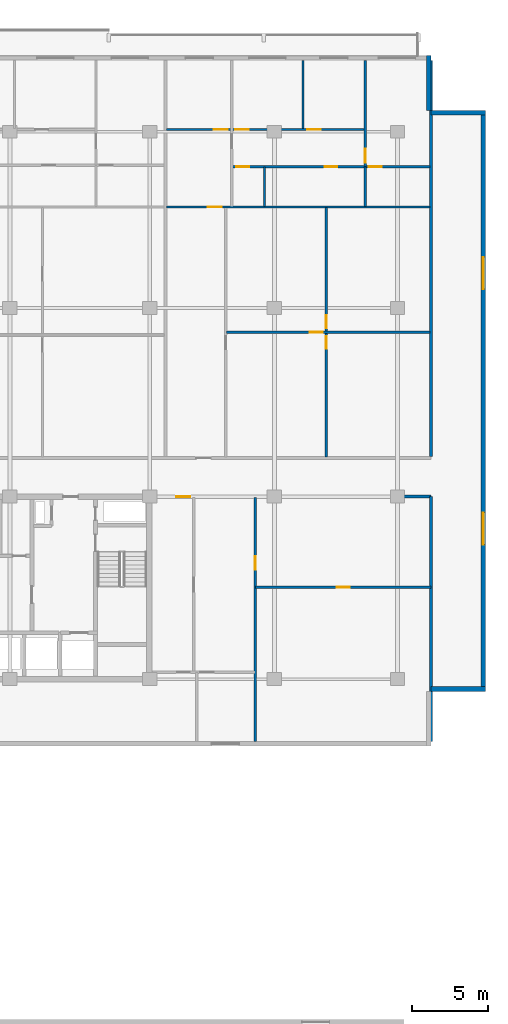
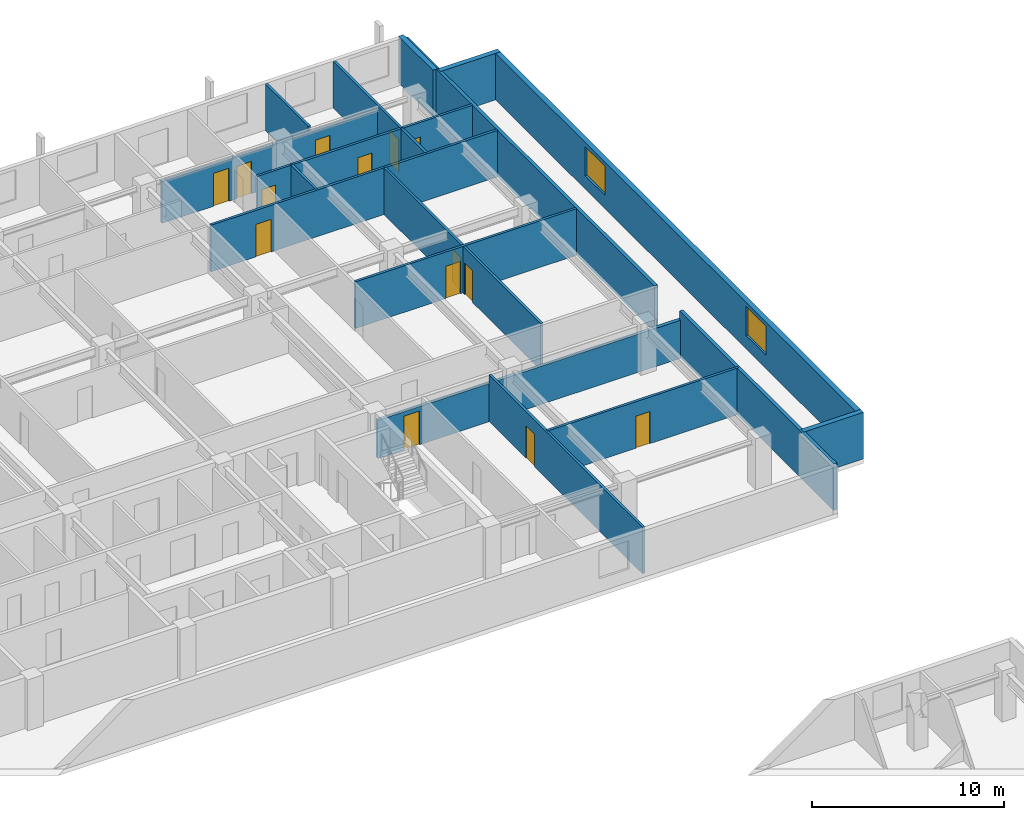
# One storey, part 16 of 22: 18 walls, 14 doors, 2 windows, 16 openings.
"""IFC4 building model written with IfcOpenShell, lengths in metres."""

from ifc_helpers import new_model, si_unit, direction, frame, frame_2d, origin, place, context, subcontext, project, spatial, rectangle, extrude, material, layer, layer_set, type_object, element, fill, save


model = new_model("IFC4")

# Units and contexts
model_context = context("Model", 3, precision=1e-05, world=origin(), true_north=direction((0.0, 1.0)))
body_context = subcontext(model_context, "Body", "Model", "MODEL_VIEW")
ifc_project = project(units=[si_unit("LENGTHUNIT", "METRE"), si_unit("AREAUNIT", "SQUARE_METRE"), si_unit("VOLUMEUNIT", "CUBIC_METRE"), si_unit("PLANEANGLEUNIT", "RADIAN"), si_unit("MASSUNIT", "GRAM", prefix="KILO")], contexts=[model_context])

# Site, building, storey
site_placement = place(None, origin())
site = spatial("IfcSite", under=ifc_project, at=site_placement, CompositionType="ELEMENT")
building_placement = place(site_placement, origin())
building = spatial("IfcBuilding", under=site, at=building_placement, Name="Korimba Cascade Residences", CompositionType="ELEMENT")
storey_placement = place(building_placement, frame((0.0, 0.0, 129.550048828125)))
storey = spatial("IfcBuildingStorey", under=building, at=storey_placement, Name="L37", CompositionType="ELEMENT", Elevation=129.550048828125)

# Wall
ifc_material_1 = material(Name="Precast concrete C40/50", Category="concrete")
ifc_layer_1 = layer(ifc_material_1, 0.300048828125)
ifc_layer_set_1 = layer_set([ifc_layer_1], Name="Precast concrete C40/50")
wall_type_1 = type_object("IfcWallType", Name="EW-STONE-300", PredefinedType="STANDARD", material=ifc_layer_set_1)
wall_1_placement = place(storey_placement, frame((130.60009765625, 54.550048828125, 0.0), z_axis=(0.0, 0.0, 1.0), x_axis=(1.0, 0.0, 0.0)))
element("IfcWall", 1, at=wall_1_placement, inside=storey, type_object=wall_type_1, Name="L37 T1 Perimeter Stone Wall E02", PredefinedType="STANDARD", context=body_context, shape_type="SweptSolid", body=[
    extrude(rectangle(XDim=3.599853515625, YDim=0.300048828125, at=frame_2d((1.7998046875, 0.0))), origin(), (0.0, 0.0, 1.0), 2.969970703125),
])

# Wall, openings, windows
wall_2_placement = place(storey_placement, frame((134.050048828125, 54.39990234375, 0.0), z_axis=(0.0, 0.0, 1.0), x_axis=(0.0, 1.0, 0.0)))
wall_2 = element("IfcWall", 2, at=wall_2_placement, inside=storey, type_object=wall_type_1, Name="L37 T1 Perimeter Stone Wall E03", PredefinedType="STANDARD", context=body_context, shape_type="SweptSolid", body=[
    extrude(rectangle(XDim=38.2001953125, YDim=0.300048828125, at=frame_2d((19.10009765625, 0.0))), origin(), (0.0, 0.0, 1.0), 2.969970703125),
])
opening_1_placement = place(wall_2_placement, frame((9.64599609375, 0.0, 0.85009765625)))
opening_1 = element("IfcOpeningElement", 3, at=opening_1_placement, cuts=wall_2, Name="Opening W-03", PredefinedType="OPENING", context=body_context, shape_type="SweptSolid", body=[
    extrude(rectangle(XDim=2.10009765625, YDim=1.85009765625, at=frame_2d((1.050048828125, 0.925048828125))), frame((0.0, 0.16015625, 0.0), z_axis=(0.0, -1.0, 0.0), x_axis=(1.0, 0.0, 0.0)), (0.0, 0.0, 1.0), 0.320068359375),
])
opening_2_placement = place(wall_2_placement, frame((26.4541015625, 0.0, 0.85009765625)))
opening_2 = element("IfcOpeningElement", 4, at=opening_2_placement, cuts=wall_2, Name="Opening W-03", PredefinedType="OPENING", context=body_context, shape_type="SweptSolid", body=[
    extrude(rectangle(XDim=2.10009765625, YDim=1.85009765625, at=frame_2d((1.050048828125, 0.925048828125))), frame((0.0, 0.16015625, 0.0), z_axis=(0.0, -1.0, 0.0), x_axis=(1.0, 0.0, 0.0)), (0.0, 0.0, 1.0), 0.320068359375),
])
ifc_material_2 = material(Name="Double-Glazed Aluminium Window", Category="aluminium")
window_type = type_object("IfcWindowType", Name="WIN-CRN-2100", PartitioningType="DOUBLE_PANEL_HORIZONTAL", PredefinedType="WINDOW", material=ifc_material_2)
window_1_placement = place(opening_1_placement, origin())
window_1 = element("IfcWindow", 5, at=window_1_placement, inside=storey, type_object=window_type, Name="L37 T1 End View Window 3.1", OverallHeight=1.85009765625, OverallWidth=2.10009765625, PartitioningType="DOUBLE_PANEL_HORIZONTAL", PredefinedType="WINDOW", context=body_context, shape_type="SweptSolid", body=[
    extrude(rectangle(XDim=2.10009765625, YDim=1.85009765625, at=frame_2d((1.050048828125, 0.925048828125))), frame((0.0, 0.030029296875, 0.0), z_axis=(0.0, -1.0, 0.0), x_axis=(1.0, 0.0, 0.0)), (0.0, 0.0, 1.0), 0.06005859375),
])
fill(opening_1, window_1)
window_2_placement = place(opening_2_placement, origin())
window_2 = element("IfcWindow", 6, at=window_2_placement, inside=storey, type_object=window_type, Name="L37 T1 End View Window 3.2", OverallHeight=1.85009765625, OverallWidth=2.10009765625, PartitioningType="DOUBLE_PANEL_HORIZONTAL", PredefinedType="WINDOW", context=body_context, shape_type="SweptSolid", body=[
    extrude(rectangle(XDim=2.10009765625, YDim=1.85009765625, at=frame_2d((1.050048828125, 0.925048828125))), frame((0.0, 0.030029296875, 0.0), z_axis=(0.0, -1.0, 0.0), x_axis=(1.0, 0.0, 0.0)), (0.0, 0.0, 1.0), 0.06005859375),
])
fill(opening_2, window_2)

# Walls
for number, where, z_axis, x_axis, name in (
    (7, (134.199951171875, 92.449951171875, 0.0), (0.0, 0.0, 1.0), (-1.0, 0.0, 0.0), "L37 T1 Perimeter Stone Wall E04"),
    (8, (130.449951171875, 92.60009765625, 0.0), (0.0, 0.0, 1.0), (0.0, 1.0, 0.0), "L37 T1 Perimeter Stone Wall E05"),
):
    element("IfcWall", number, at=place(storey_placement, frame(where, z_axis=z_axis, x_axis=x_axis)), inside=storey, type_object=wall_type_1, Name=name, PredefinedType="STANDARD", context=body_context, shape_type="SweptSolid", body=[
        extrude(rectangle(XDim=3.599853515625, YDim=0.300048828125, at=frame_2d((1.7998046875, 0.0))), origin(), (0.0, 0.0, 1.0), 2.969970703125),
    ])
ifc_layer_2 = layer(ifc_material_1, 0.199951171875)
ifc_layer_set_2 = layer_set([ifc_layer_2], Name="Precast concrete C40/50")
wall_type_2 = type_object("IfcWallType", Name="WAL-IT-200", PredefinedType="PARTITIONING", material=ifc_layer_set_2)
wall_3_placement = place(storey_placement, frame((130.60009765625, 51.10009765625, 0.0), z_axis=(0.0, 0.0, 1.0), x_axis=(0.0, 1.0, 0.0)))
element("IfcWall", 9, at=wall_3_placement, inside=storey, type_object=wall_type_2, Name="L37 Partition Wall WAL-L37-T1-FE-WR", PredefinedType="PARTITIONING", context=body_context, shape_type="SweptSolid", body=[
    extrude(rectangle(XDim=16.099853515625, YDim=0.199951171875, at=frame_2d((8.0498046875, 0.0))), origin(), (0.0, 0.0, 1.0), 2.969970703125),
])

# Wall, opening, door
wall_4_placement = place(storey_placement, frame((112.25, 67.199951171875, 0.0), z_axis=(0.0, 0.0, 1.0), x_axis=(1.0, 0.0, 0.0)))
wall_4 = element("IfcWall", 10, at=wall_4_placement, inside=storey, type_object=wall_type_2, Name="L37 Partition Wall WAL-L37-T1-FE-N", PredefinedType="PARTITIONING", context=body_context, shape_type="SweptSolid", body=[
    extrude(rectangle(XDim=18.35009765625, YDim=0.199951171875, at=frame_2d((9.175048828125, 0.0))), origin(), (0.0, 0.0, 1.0), 2.433349609375),
])
opening_3_placement = place(wall_4_placement, frame((1.580078125, 0.0, 0.0)))
opening_3 = element("IfcOpeningElement", 11, at=opening_3_placement, cuts=wall_4, Name="Opening D-UN1", PredefinedType="OPENING", context=body_context, shape_type="SweptSolid", body=[
    extrude(rectangle(XDim=0.949951171875, YDim=2.14990234375, at=frame_2d((0.47509765625, 1.074951171875))), frame((0.0, 0.10986328125, 0.0), z_axis=(0.0, -1.0, 0.0), x_axis=(1.0, 0.0, 0.0)), (0.0, 0.0, 1.0), 0.219970703125),
])
ifc_material_3 = material(Name="Fire-Rated Hardwood Apartment Entrance Door", Category="wood")
door_type_1 = type_object("IfcDoorType", Name="DR-FD60-950", OperationType="NOTDEFINED", PredefinedType="DOOR", material=ifc_material_3)
door_1_placement = place(opening_3_placement, origin())
door_1 = element("IfcDoor", 12, at=door_1_placement, inside=storey, type_object=door_type_1, Name="L37-T1-FE Entrance Door", OperationType="SINGLE_SWING_LEFT", OverallHeight=2.14990234375, OverallWidth=0.949951171875, PredefinedType="DOOR", context=body_context, shape_type="SweptSolid", body=[
    extrude(rectangle(XDim=0.949951171875, YDim=2.14990234375, at=frame_2d((0.47509765625, 1.074951171875))), frame((0.0, 0.02490234375, 0.0), z_axis=(0.0, -1.0, 0.0), x_axis=(1.0, 0.0, 0.0)), (0.0, 0.0, 1.0), 0.050048828125),
])
fill(opening_3, door_1)

# Wall
wall_5_placement = place(storey_placement, frame((130.60009765625, 69.830078125, 0.0), z_axis=(0.0, 0.0, 1.0), x_axis=(0.0, 1.0, 0.0)))
element("IfcWall", 13, at=wall_5_placement, inside=storey, type_object=wall_type_2, Name="L37 Partition Wall WAL-L37-T1-BNDWR", PredefinedType="PARTITIONING", context=body_context, shape_type="SweptSolid", body=[
    extrude(rectangle(XDim=26.06982421875, YDim=0.199951171875, at=frame_2d((13.034912109375, 0.0))), origin(), (0.0, 0.0, 1.0), 2.969970703125),
])

# Wall, opening, door
ifc_material_4 = material(Name="Insulated Acoustic Stud Partition", Category="gypsum")
ifc_layer_3 = layer(ifc_material_4, 0.14990234375)
ifc_layer_set_3 = layer_set([ifc_layer_3], Name="Insulated Acoustic Stud Partition")
wall_type_3 = type_object("IfcWallType", Name="WAL-PART-150", PredefinedType="PARTITIONING", material=ifc_layer_set_3)
wall_6_placement = place(storey_placement, frame((119.050048828125, 61.25, 0.0), z_axis=(0.0, 0.0, 1.0), x_axis=(1.0, 0.0, 0.0)))
wall_6 = element("IfcWall", 14, at=wall_6_placement, inside=storey, type_object=wall_type_3, Name="L37 Partition Wall WAL-L37-T1-FE-STH", PredefinedType="PARTITIONING", context=body_context, shape_type="SweptSolid", body=[
    extrude(rectangle(XDim=11.550048828125, YDim=0.14990234375, at=frame_2d((5.77490234375, 0.0))), origin(), (0.0, 0.0, 1.0), 2.969970703125),
])
opening_4_placement = place(wall_6_placement, frame((5.35498046875, 0.0, 0.0)))
opening_4 = element("IfcOpeningElement", 15, at=opening_4_placement, cuts=wall_6, Name="Opening D-BT1", PredefinedType="OPENING", context=body_context, shape_type="SweptSolid", body=[
    extrude(rectangle(XDim=0.840087890625, YDim=2.0400390625, at=frame_2d((0.419921875, 1.02001953125))), frame((0.0, 0.0849609375, 0.0), z_axis=(0.0, -1.0, 0.0), x_axis=(1.0, 0.0, 0.0)), (0.0, 0.0, 1.0), 0.169921875),
])
ifc_material_5 = material(Name="Moisture-Resistant Bathroom Timber Door", Category="wood")
door_type_2 = type_object("IfcDoorType", Name="DR-INT-850", OperationType="NOTDEFINED", PredefinedType="DOOR", material=ifc_material_5)
door_2_placement = place(opening_4_placement, origin())
door_2 = element("IfcDoor", 16, at=door_2_placement, inside=storey, type_object=door_type_2, Name="L37-T1-FE Dressing Store Door", OperationType="SINGLE_SWING_RIGHT", OverallHeight=2.0400390625, OverallWidth=0.840087890625, PredefinedType="DOOR", context=body_context, shape_type="SweptSolid", body=[
    extrude(rectangle(XDim=0.840087890625, YDim=2.0400390625, at=frame_2d((0.419921875, 1.02001953125))), frame((0.0, 0.02490234375, 0.0), z_axis=(0.0, -1.0, 0.0), x_axis=(1.0, 0.0, 0.0)), (0.0, 0.0, 1.0), 0.050048828125),
])
fill(opening_4, door_2)

wall_7_placement = place(storey_placement, frame((119.050048828125, 51.10009765625, 0.0), z_axis=(0.0, 0.0, 1.0), x_axis=(0.0, 1.0, 0.0)))
wall_7 = element("IfcWall", 17, at=wall_7_placement, inside=storey, type_object=wall_type_3, Name="L37 Partition Wall WAL-L37-T1-FE-STV", PredefinedType="PARTITIONING", context=body_context, shape_type="SweptSolid", body=[
    extrude(rectangle(XDim=16.0498046875, YDim=0.14990234375, at=frame_2d((8.02490234375, 0.0))), origin(), (0.0, 0.0, 1.0), 2.969970703125),
])
opening_5_placement = place(wall_7_placement, frame((11.300048828125, 0.0, 0.0)))
opening_5 = element("IfcOpeningElement", 18, at=opening_5_placement, cuts=wall_7, Name="Opening D-IN2", PredefinedType="OPENING", context=body_context, shape_type="SweptSolid", body=[
    extrude(rectangle(XDim=0.8798828125, YDim=2.06005859375, at=frame_2d((0.43994140625, 1.030029296875))), frame((0.0, 0.0849609375, 0.0), z_axis=(0.0, -1.0, 0.0), x_axis=(1.0, 0.0, 0.0)), (0.0, 0.0, 1.0), 0.169921875),
])
ifc_material_6 = material(Name="Acoustic Timber Bedroom Door", Category="wood")
door_type_3 = type_object("IfcDoorType", Name="DR-INT-880", OperationType="NOTDEFINED", PredefinedType="DOOR", material=ifc_material_6)
door_3_placement = place(opening_5_placement, origin())
door_3 = element("IfcDoor", 19, at=door_3_placement, inside=storey, type_object=door_type_3, Name="L37-T1-FE Study Door", OperationType="SINGLE_SWING_LEFT", OverallHeight=2.06005859375, OverallWidth=0.8798828125, PredefinedType="DOOR", context=body_context, shape_type="SweptSolid", body=[
    extrude(rectangle(XDim=0.8798828125, YDim=2.06005859375, at=frame_2d((0.43994140625, 1.030029296875))), frame((0.0, 0.02490234375, 0.0), z_axis=(0.0, -1.0, 0.0), x_axis=(1.0, 0.0, 0.0)), (0.0, 0.0, 1.0), 0.050048828125),
])
fill(opening_5, door_3)

# Wall, openings, doors
wall_8_placement = place(storey_placement, frame((123.717529296875, 69.81005859375, 0.0), z_axis=(0.0, 0.0, 1.0), x_axis=(0.0, 1.0, 0.0)))
wall_8 = element("IfcWall", 20, at=wall_8_placement, inside=storey, type_object=wall_type_3, Name="L37 Partition Wall WAL-L37-T1-U04-FMV", PredefinedType="PARTITIONING", context=body_context, shape_type="SweptSolid", body=[
    extrude(rectangle(XDim=16.39990234375, YDim=0.14990234375, at=frame_2d((8.199951171875, 0.0))), origin(), (0.0, 0.0, 1.0), 2.969970703125),
])
opening_6_placement = place(wall_8_placement, frame((7.110107421875, 0.0, 0.0)))
opening_6 = element("IfcOpeningElement", 21, at=opening_6_placement, cuts=wall_8, Name="Opening D-BT1", PredefinedType="OPENING", context=body_context, shape_type="SweptSolid", body=[
    extrude(rectangle(XDim=0.840087890625, YDim=2.0400390625, at=frame_2d((0.419921875, 1.02001953125))), frame((0.0, 0.0849609375, 0.0), z_axis=(0.0, -1.0, 0.0), x_axis=(1.0, 0.0, 0.0)), (0.0, 0.0, 1.0), 0.169921875),
])
opening_7_placement = place(wall_8_placement, frame((8.449951171875, 0.0, 0.0)))
opening_7 = element("IfcOpeningElement", 22, at=opening_7_placement, cuts=wall_8, Name="Opening D-IN2", PredefinedType="OPENING", context=body_context, shape_type="SweptSolid", body=[
    extrude(rectangle(XDim=0.8798828125, YDim=2.06005859375, at=frame_2d((0.43994140625, 1.030029296875))), frame((0.0, 0.0849609375, 0.0), z_axis=(0.0, -1.0, 0.0), x_axis=(1.0, 0.0, 0.0)), (0.0, 0.0, 1.0), 0.169921875),
])
door_4_placement = place(opening_6_placement, origin())
door_4 = element("IfcDoor", 23, at=door_4_placement, inside=storey, type_object=door_type_2, Name="L37-T1-U04 Wardrobe Door", OperationType="SINGLE_SWING_LEFT", OverallHeight=2.0400390625, OverallWidth=0.840087890625, PredefinedType="DOOR", context=body_context, shape_type="SweptSolid", body=[
    extrude(rectangle(XDim=0.840087890625, YDim=2.0400390625, at=frame_2d((0.419921875, 1.02001953125))), frame((0.0, 0.02490234375, 0.0), z_axis=(0.0, -1.0, 0.0), x_axis=(1.0, 0.0, 0.0)), (0.0, 0.0, 1.0), 0.050048828125),
])
fill(opening_6, door_4)
door_5_placement = place(opening_7_placement, origin())
door_5 = element("IfcDoor", 24, at=door_5_placement, inside=storey, type_object=door_type_3, Name="L37-T1-U04 Music Lounge Door", OperationType="SINGLE_SWING_RIGHT", OverallHeight=2.06005859375, OverallWidth=0.8798828125, PredefinedType="DOOR", context=body_context, shape_type="SweptSolid", body=[
    extrude(rectangle(XDim=0.8798828125, YDim=2.06005859375, at=frame_2d((0.43994140625, 1.030029296875))), frame((0.0, 0.02490234375, 0.0), z_axis=(0.0, -1.0, 0.0), x_axis=(1.0, 0.0, 0.0)), (0.0, 0.0, 1.0), 0.050048828125),
])
fill(opening_7, door_5)

# Wall, opening, door
wall_9_placement = place(storey_placement, frame((117.155029296875, 78.010009765625, 0.0), z_axis=(0.0, 0.0, 1.0), x_axis=(1.0, 0.0, 0.0)))
wall_9 = element("IfcWall", 25, at=wall_9_placement, inside=storey, type_object=wall_type_3, Name="L37 Partition Wall WAL-L37-T1-U04-FMH", PredefinedType="PARTITIONING", context=body_context, shape_type="SweptSolid", body=[
    extrude(rectangle(XDim=13.364990234375, YDim=0.14990234375, at=frame_2d((6.6826171875, 0.0))), origin(), (0.0, 0.0, 1.0), 2.969970703125),
])
opening_8_placement = place(wall_9_placement, frame((5.46240234375, 0.0, 0.0)))
opening_8 = element("IfcOpeningElement", 26, at=opening_8_placement, cuts=wall_9, Name="Opening D-IN2", PredefinedType="OPENING", context=body_context, shape_type="SweptSolid", body=[
    extrude(rectangle(XDim=0.8798828125, YDim=2.06005859375, at=frame_2d((0.43994140625, 1.030029296875))), frame((0.0, 0.0849609375, 0.0), z_axis=(0.0, -1.0, 0.0), x_axis=(1.0, 0.0, 0.0)), (0.0, 0.0, 1.0), 0.169921875),
])
door_6_placement = place(opening_8_placement, origin())
door_6 = element("IfcDoor", 27, at=door_6_placement, inside=storey, type_object=door_type_3, Name="L37-T1-U04 Library Salon Door", OperationType="SINGLE_SWING_LEFT", OverallHeight=2.06005859375, OverallWidth=0.8798828125, PredefinedType="DOOR", context=body_context, shape_type="SweptSolid", body=[
    extrude(rectangle(XDim=0.8798828125, YDim=2.06005859375, at=frame_2d((0.43994140625, 1.030029296875))), frame((0.0, 0.02490234375, 0.0), z_axis=(0.0, -1.0, 0.0), x_axis=(1.0, 0.0, 0.0)), (0.0, 0.0, 1.0), 0.050048828125),
])
fill(opening_8, door_6)

# Walls
wall_10_placement = place(storey_placement, frame((119.64501953125, 86.2900390625, 0.0), z_axis=(0.0, 0.0, 1.0), x_axis=(0.0, 1.0, 0.0)))
element("IfcWall", 28, at=wall_10_placement, inside=storey, type_object=wall_type_3, Name="L37 Partition Wall WAL-L37-T1-U04-VDRS", PredefinedType="PARTITIONING", context=body_context, shape_type="SweptSolid", body=[
    extrude(rectangle(XDim=2.580078125, YDim=0.14990234375, at=frame_2d((1.2900390625, 0.0))), origin(), (0.0, 0.0, 1.0), 2.969970703125),
])
wall_11_placement = place(storey_placement, frame((122.179931640625, 91.429931640625, 0.0), z_axis=(0.0, 0.0, 1.0), x_axis=(0.0, 1.0, 0.0)))
element("IfcWall", 29, at=wall_11_placement, inside=storey, type_object=wall_type_3, Name="L37 Partition Wall WAL-L37-T1-U04-VSTD", PredefinedType="PARTITIONING", context=body_context, shape_type="SweptSolid", body=[
    extrude(rectangle(XDim=4.469970703125, YDim=0.14990234375, at=frame_2d((2.23486328125, 0.0))), origin(), (0.0, 0.0, 1.0), 2.969970703125),
])
wall_12_placement = place(storey_placement, frame((126.27001953125, 86.2900390625, 0.0), z_axis=(0.0, 0.0, 1.0), x_axis=(0.0, 1.0, 0.0)))
element("IfcWall", 30, at=wall_12_placement, inside=storey, type_object=wall_type_3, Name="L37 Partition Wall WAL-L37-T1-U04-VBATH", PredefinedType="PARTITIONING", context=body_context, shape_type="SweptSolid", body=[
    extrude(rectangle(XDim=2.580078125, YDim=0.14990234375, at=frame_2d((1.2900390625, 0.0))), origin(), (0.0, 0.0, 1.0), 2.969970703125),
])

# Wall, opening, door
wall_13_placement = place(storey_placement, frame((126.27001953125, 88.909912109375, 0.0), z_axis=(0.0, 0.0, 1.0), x_axis=(0.0, 1.0, 0.0)))
wall_13 = element("IfcWall", 31, at=wall_13_placement, inside=storey, type_object=wall_type_3, Name="L37 Partition Wall WAL-L37-T1-U04-V2FULL", PredefinedType="PARTITIONING", context=body_context, shape_type="SweptSolid", body=[
    extrude(rectangle(XDim=6.989990234375, YDim=0.14990234375, at=frame_2d((3.4951171875, 0.0))), origin(), (0.0, 0.0, 1.0), 2.969970703125),
])
opening_9_placement = place(wall_13_placement, frame((0.260009765625, 0.0, 0.0)))
opening_9 = element("IfcOpeningElement", 32, at=opening_9_placement, cuts=wall_13, Name="Opening D-IN1", PredefinedType="OPENING", context=body_context, shape_type="SweptSolid", body=[
    extrude(rectangle(XDim=0.919921875, YDim=2.080078125, at=frame_2d((0.4599609375, 1.0400390625))), frame((0.0, 0.0849609375, 0.0), z_axis=(0.0, -1.0, 0.0), x_axis=(1.0, 0.0, 0.0)), (0.0, 0.0, 1.0), 0.169921875),
])
ifc_material_7 = material(Name="Acoustic Timber Living Door", Category="wood")
door_type_4 = type_object("IfcDoorType", Name="DR-INT-920", OperationType="NOTDEFINED", PredefinedType="DOOR", material=ifc_material_7)
door_7_placement = place(opening_9_placement, origin())
door_7 = element("IfcDoor", 33, at=door_7_placement, inside=storey, type_object=door_type_4, Name="L37-T1-U04 Master Bedroom Door", OperationType="SINGLE_SWING_RIGHT", OverallHeight=2.080078125, OverallWidth=0.919921875, PredefinedType="DOOR", context=body_context, shape_type="SweptSolid", body=[
    extrude(rectangle(XDim=0.919921875, YDim=2.080078125, at=frame_2d((0.4599609375, 1.0400390625))), frame((0.0, 0.02490234375, 0.0), z_axis=(0.0, -1.0, 0.0), x_axis=(1.0, 0.0, 0.0)), (0.0, 0.0, 1.0), 0.050048828125),
])
fill(opening_9, door_7)

# Wall, openings, doors
wall_14_placement = place(storey_placement, frame((117.534912109375, 88.889892578125, 0.0), z_axis=(0.0, 0.0, 1.0), x_axis=(1.0, 0.0, 0.0)))
wall_14 = element("IfcWall", 34, at=wall_14_placement, inside=storey, type_object=wall_type_3, Name="L37 Partition Wall WAL-L37-T1-U04-HWALL", PredefinedType="PARTITIONING", context=body_context, shape_type="SweptSolid", body=[
    extrude(rectangle(XDim=12.985107421875, YDim=0.14990234375, at=frame_2d((6.49267578125, 0.0))), origin(), (0.0, 0.0, 1.0), 2.969970703125),
])
opening_10_placement = place(wall_14_placement, frame((0.26611328125, 0.0, 0.0)))
opening_10 = element("IfcOpeningElement", 35, at=opening_10_placement, cuts=wall_14, Name="Opening D-BT1", PredefinedType="OPENING", context=body_context, shape_type="SweptSolid", body=[
    extrude(rectangle(XDim=0.840087890625, YDim=2.0400390625, at=frame_2d((0.419921875, 1.02001953125))), frame((0.0, 0.0849609375, 0.0), z_axis=(0.0, -1.0, 0.0), x_axis=(1.0, 0.0, 0.0)), (0.0, 0.0, 1.0), 0.169921875),
])
opening_11_placement = place(wall_14_placement, frame((6.072509765625, 0.0, 0.0)))
opening_11 = element("IfcOpeningElement", 36, at=opening_11_placement, cuts=wall_14, Name="Opening D-BT1", PredefinedType="OPENING", context=body_context, shape_type="SweptSolid", body=[
    extrude(rectangle(XDim=0.840087890625, YDim=2.0400390625, at=frame_2d((0.419921875, 1.02001953125))), frame((0.0, 0.0849609375, 0.0), z_axis=(0.0, -1.0, 0.0), x_axis=(1.0, 0.0, 0.0)), (0.0, 0.0, 1.0), 0.169921875),
])
opening_12_placement = place(wall_14_placement, frame((8.985107421875, 0.0, 0.0)))
opening_12 = element("IfcOpeningElement", 37, at=opening_12_placement, cuts=wall_14, Name="Opening D-BT1", PredefinedType="OPENING", context=body_context, shape_type="SweptSolid", body=[
    extrude(rectangle(XDim=0.840087890625, YDim=2.0400390625, at=frame_2d((0.419921875, 1.02001953125))), frame((0.0, 0.0849609375, 0.0), z_axis=(0.0, -1.0, 0.0), x_axis=(1.0, 0.0, 0.0)), (0.0, 0.0, 1.0), 0.169921875),
])
door_8_placement = place(opening_10_placement, origin())
door_8 = element("IfcDoor", 38, at=door_8_placement, inside=storey, type_object=door_type_2, Name="L37-T1-U04 Family Bathroom Door", OperationType="SINGLE_SWING_LEFT", OverallHeight=2.0400390625, OverallWidth=0.840087890625, PredefinedType="DOOR", context=body_context, shape_type="SweptSolid", body=[
    extrude(rectangle(XDim=0.840087890625, YDim=2.0400390625, at=frame_2d((0.419921875, 1.02001953125))), frame((0.0, 0.02490234375, 0.0), z_axis=(0.0, -1.0, 0.0), x_axis=(1.0, 0.0, 0.0)), (0.0, 0.0, 1.0), 0.050048828125),
])
fill(opening_10, door_8)
door_9_placement = place(opening_11_placement, origin())
door_9 = element("IfcDoor", 39, at=door_9_placement, inside=storey, type_object=door_type_2, Name="L37-T1-U04 Dressing Room Door", OperationType="SINGLE_SWING_RIGHT", OverallHeight=2.0400390625, OverallWidth=0.840087890625, PredefinedType="DOOR", context=body_context, shape_type="SweptSolid", body=[
    extrude(rectangle(XDim=0.840087890625, YDim=2.0400390625, at=frame_2d((0.419921875, 1.02001953125))), frame((0.0, 0.02490234375, 0.0), z_axis=(0.0, -1.0, 0.0), x_axis=(1.0, 0.0, 0.0)), (0.0, 0.0, 1.0), 0.050048828125),
])
fill(opening_11, door_9)
door_10_placement = place(opening_12_placement, origin())
door_10 = element("IfcDoor", 40, at=door_10_placement, inside=storey, type_object=door_type_2, Name="L37-T1-U04 En-Suite Door", OperationType="SINGLE_SWING_LEFT", OverallHeight=2.0400390625, OverallWidth=0.840087890625, PredefinedType="DOOR", context=body_context, shape_type="SweptSolid", body=[
    extrude(rectangle(XDim=0.840087890625, YDim=2.0400390625, at=frame_2d((0.419921875, 1.02001953125))), frame((0.0, 0.02490234375, 0.0), z_axis=(0.0, -1.0, 0.0), x_axis=(1.0, 0.0, 0.0)), (0.0, 0.0, 1.0), 0.050048828125),
])
fill(opening_12, door_10)

# Wall, opening, door
wall_15_placement = place(storey_placement, frame((113.205078125, 86.25, 0.0), z_axis=(0.0, 0.0, 1.0), x_axis=(1.0, 0.0, 0.0)))
wall_15 = element("IfcWall", 41, at=wall_15_placement, inside=storey, type_object=wall_type_3, Name="L37 Partition Wall WAL-L37-T1-U04-MW", PredefinedType="PARTITIONING", context=body_context, shape_type="SweptSolid", body=[
    extrude(rectangle(XDim=17.31494140625, YDim=0.14990234375, at=frame_2d((8.657470703125, 0.0))), origin(), (0.0, 0.0, 1.0), 2.969970703125),
])
opening_13_placement = place(wall_15_placement, frame((2.719970703125, 0.0, 0.0)))
opening_13 = element("IfcOpeningElement", 42, at=opening_13_placement, cuts=wall_15, Name="Opening D-IN1", PredefinedType="OPENING", context=body_context, shape_type="SweptSolid", body=[
    extrude(rectangle(XDim=0.919921875, YDim=2.080078125, at=frame_2d((0.4599609375, 1.0400390625))), frame((0.0, 0.0849609375, 0.0), z_axis=(0.0, -1.0, 0.0), x_axis=(1.0, 0.0, 0.0)), (0.0, 0.0, 1.0), 0.169921875),
])
door_11_placement = place(opening_13_placement, origin())
door_11 = element("IfcDoor", 43, at=door_11_placement, inside=storey, type_object=door_type_4, Name="L37-T1-U04 Kitchen Door", OperationType="SINGLE_SWING_RIGHT", OverallHeight=2.080078125, OverallWidth=0.919921875, PredefinedType="DOOR", context=body_context, shape_type="SweptSolid", body=[
    extrude(rectangle(XDim=0.919921875, YDim=2.080078125, at=frame_2d((0.4599609375, 1.0400390625))), frame((0.0, 0.02490234375, 0.0), z_axis=(0.0, -1.0, 0.0), x_axis=(1.0, 0.0, 0.0)), (0.0, 0.0, 1.0), 0.050048828125),
])
fill(opening_13, door_11)

# Wall, openings, doors
wall_16_placement = place(storey_placement, frame((113.205078125, 91.35009765625, 0.0), z_axis=(0.0, 0.0, 1.0), x_axis=(1.0, 0.0, 0.0)))
wall_16 = element("IfcWall", 44, at=wall_16_placement, inside=storey, type_object=wall_type_3, Name="L37 Partition Wall WAL-L37-T1-U04-HZ", PredefinedType="PARTITIONING", context=body_context, shape_type="SweptSolid", body=[
    extrude(rectangle(XDim=13.06494140625, YDim=0.14990234375, at=frame_2d((6.532470703125, 0.0))), origin(), (0.0, 0.0, 1.0), 2.663330078125),
])
opening_14_placement = place(wall_16_placement, frame((3.10009765625, 0.0, 0.0)))
opening_14 = element("IfcOpeningElement", 45, at=opening_14_placement, cuts=wall_16, Name="Opening D-IN0", PredefinedType="OPENING", context=body_context, shape_type="SweptSolid", body=[
    extrude(rectangle(XDim=0.93994140625, YDim=2.10009765625, at=frame_2d((0.469970703125, 1.050048828125))), frame((0.0, 0.0849609375, 0.0), z_axis=(0.0, -1.0, 0.0), x_axis=(1.0, 0.0, 0.0)), (0.0, 0.0, 1.0), 0.169921875),
])
opening_15_placement = place(wall_16_placement, frame((4.521240234375, 0.0, 0.0)))
opening_15 = element("IfcOpeningElement", 46, at=opening_15_placement, cuts=wall_16, Name="Opening D-IN2", PredefinedType="OPENING", context=body_context, shape_type="SweptSolid", body=[
    extrude(rectangle(XDim=0.8798828125, YDim=2.06005859375, at=frame_2d((0.43994140625, 1.030029296875))), frame((0.0, 0.0849609375, 0.0), z_axis=(0.0, -1.0, 0.0), x_axis=(1.0, 0.0, 0.0)), (0.0, 0.0, 1.0), 0.169921875),
])
opening_16_placement = place(wall_16_placement, frame((9.25048828125, 0.0, 0.0)))
opening_16 = element("IfcOpeningElement", 47, at=opening_16_placement, cuts=wall_16, Name="Opening D-IN2", PredefinedType="OPENING", context=body_context, shape_type="SweptSolid", body=[
    extrude(rectangle(XDim=0.8798828125, YDim=2.06005859375, at=frame_2d((0.43994140625, 1.030029296875))), frame((0.0, 0.0849609375, 0.0), z_axis=(0.0, -1.0, 0.0), x_axis=(1.0, 0.0, 0.0)), (0.0, 0.0, 1.0), 0.169921875),
])
door_12_placement = place(opening_15_placement, origin())
door_12 = element("IfcDoor", 48, at=door_12_placement, inside=storey, type_object=door_type_3, Name="L37-T1-U04 Bedroom 2 Door", OperationType="SINGLE_SWING_RIGHT", OverallHeight=2.06005859375, OverallWidth=0.8798828125, PredefinedType="DOOR", context=body_context, shape_type="SweptSolid", body=[
    extrude(rectangle(XDim=0.8798828125, YDim=2.06005859375, at=frame_2d((0.43994140625, 1.030029296875))), frame((0.0, 0.02490234375, 0.0), z_axis=(0.0, -1.0, 0.0), x_axis=(1.0, 0.0, 0.0)), (0.0, 0.0, 1.0), 0.050048828125),
])
fill(opening_15, door_12)
door_13_placement = place(opening_16_placement, origin())
door_13 = element("IfcDoor", 49, at=door_13_placement, inside=storey, type_object=door_type_3, Name="L37-T1-U04 Study Door", OperationType="SINGLE_SWING_LEFT", OverallHeight=2.06005859375, OverallWidth=0.8798828125, PredefinedType="DOOR", context=body_context, shape_type="SweptSolid", body=[
    extrude(rectangle(XDim=0.8798828125, YDim=2.06005859375, at=frame_2d((0.43994140625, 1.030029296875))), frame((0.0, 0.02490234375, 0.0), z_axis=(0.0, -1.0, 0.0), x_axis=(1.0, 0.0, 0.0)), (0.0, 0.0, 1.0), 0.050048828125),
])
fill(opening_16, door_13)
ifc_material_8 = material(Name="Acoustic Timber Living Archway Door", Category="wood")
door_type_5 = type_object("IfcDoorType", Name="DR-INT-950", OperationType="NOTDEFINED", PredefinedType="DOOR", material=ifc_material_8)
door_14_placement = place(opening_14_placement, origin())
door_14 = element("IfcDoor", 50, at=door_14_placement, inside=storey, type_object=door_type_5, Name="L37-T1-U04 Living Room Door", OperationType="SINGLE_SWING_LEFT", OverallHeight=2.10009765625, OverallWidth=0.93994140625, PredefinedType="DOOR", context=body_context, shape_type="SweptSolid", body=[
    extrude(rectangle(XDim=0.93994140625, YDim=2.10009765625, at=frame_2d((0.469970703125, 1.050048828125))), frame((0.0, 0.02490234375, 0.0), z_axis=(0.0, -1.0, 0.0), x_axis=(1.0, 0.0, 0.0)), (0.0, 0.0, 1.0), 0.050048828125),
])
fill(opening_14, door_14)

save(model, "model.ifc")
